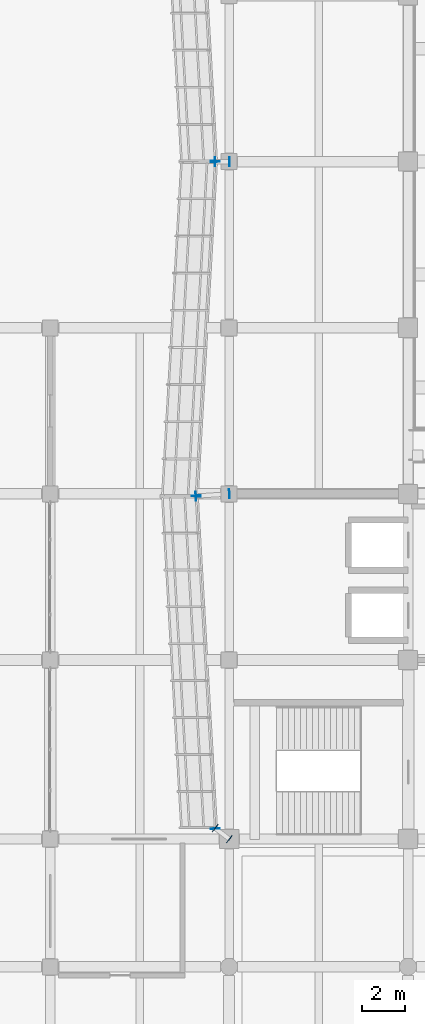
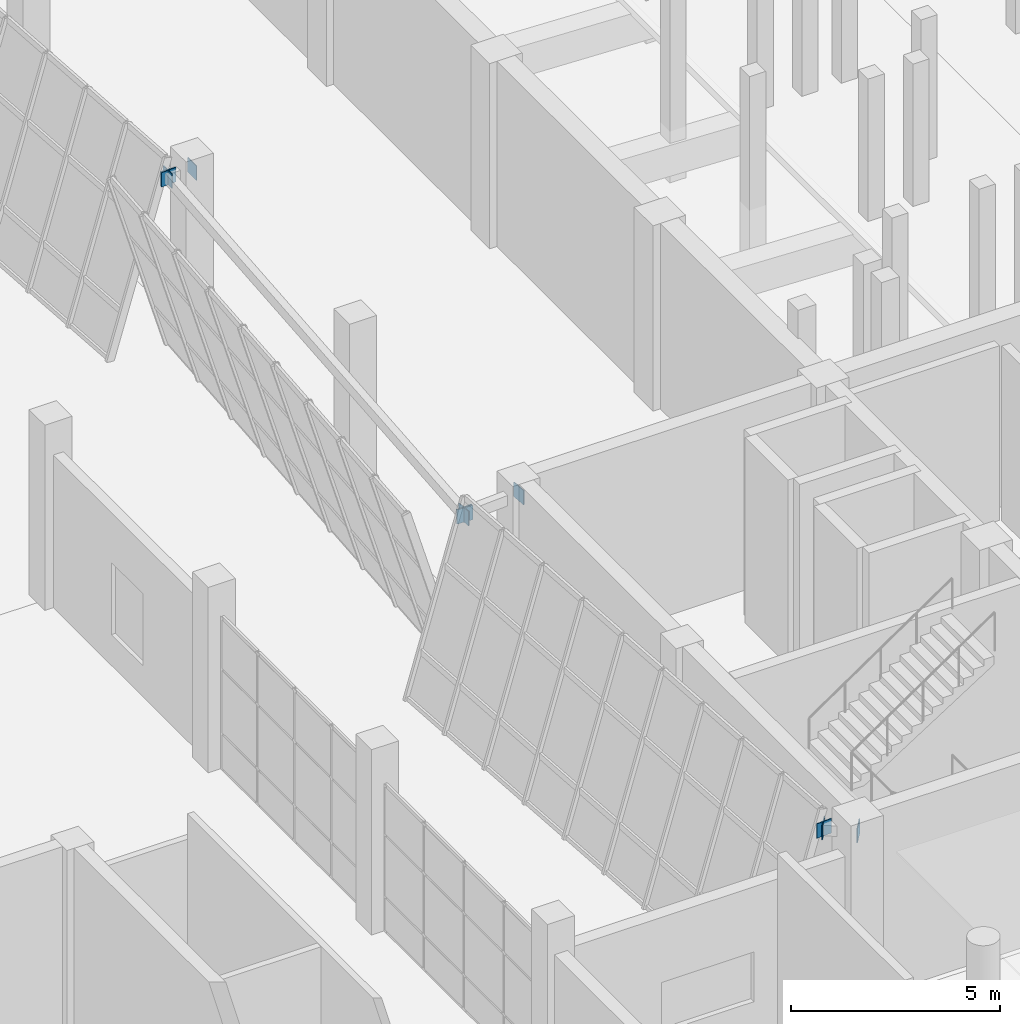
# One storey, part 55 of 78: 11 plates.
"""IFC4 building model written with IfcOpenShell, lengths in metres."""

import ifcopenshell
import ifcopenshell.guid

model = None  # the IFC model being written
_history = None  # IfcOwnerHistory: only IFC2X3 demands one
_inside = {}  # id of a spatial element -> (the spatial element, [elements in it])
_under = {}  # id of a project, library or spatial element -> (it, [spatial elements below it])
_declared = {}  # id of a project -> (the project, [libraries it declares])
_typed = {}  # id of a type object -> (the type object, [elements of that type])
_made_of = {}  # id of a material, layer set ... -> (it, [elements and type objects made of it])


def new_model(schema):
    """Start an empty IFC model of exactly this schema.

    Asked for "IFC4X3", IfcOpenShell would pick the latest addendum, in which some entities
    have other attributes; the version numbers below select the first issue.
    IFC2X3 requires an IfcOwnerHistory on every rooted entity: one is made here for all.
    """
    global model, _history
    if schema == "IFC4X3":
        model = ifcopenshell.file(schema_version=(4, 3, 0, 0))
    else:
        model = ifcopenshell.file(schema=schema)
    _inside.clear()
    _under.clear()
    _declared.clear()
    _typed.clear()
    _made_of.clear()
    _history = None
    if model.schema == "IFC2X3":
        org = make("IfcOrganization", Name="unknown")
        user = make(
            "IfcPersonAndOrganization",
            ThePerson=make("IfcPerson", FamilyName="unknown"),
            TheOrganization=org,
        )
        app = make(
            "IfcApplication",
            ApplicationDeveloper=org,
            Version="unknown",
            ApplicationFullName="unknown",
            ApplicationIdentifier="unknown",
        )
        _history = make(
            "IfcOwnerHistory",
            OwningUser=user,
            OwningApplication=app,
            ChangeAction="ADDED",
            CreationDate=0,
        )
    return model


def make(cls, **values):
    """One entity of the class cls with the attributes given. An attribute that is None is left unset."""
    return model.create_entity(
        cls, **{name: value for name, value in values.items() if value is not None}
    )


def rooted(cls, **values):
    """An entity with a GlobalId (a new one), such as an element, a storey or a relation."""
    return make(cls, GlobalId=ifcopenshell.guid.new(), OwnerHistory=_history, **values)


def si_unit(unit_type, name, prefix=None):
    """IfcSIUnit, for example si_unit("LENGTHUNIT", "METRE", prefix="MILLI")."""
    return make("IfcSIUnit", UnitType=unit_type, Prefix=prefix, Name=name)


def assignment(units):
    """IfcUnitAssignment: the units of a project."""
    return None if units is None else make("IfcUnitAssignment", Units=units)


def point(xyz):
    """IfcCartesianPoint."""
    return None if xyz is None else make("IfcCartesianPoint", Coordinates=xyz)


def direction(xyz):
    """IfcDirection."""
    return None if xyz is None else make("IfcDirection", DirectionRatios=xyz)


def frame(location, z_axis=None, x_axis=None):
    """IfcAxis2Placement3D, a coordinate frame: its origin and axes. An axis left out is left unset."""
    return make(
        "IfcAxis2Placement3D",
        Location=point(location),
        Axis=direction(z_axis),
        RefDirection=direction(x_axis),
    )


def frame_2d(location, x_axis=None):
    """IfcAxis2Placement2D, a coordinate frame in the plane: its origin and x axis."""
    return make(
        "IfcAxis2Placement2D", Location=point(location), RefDirection=direction(x_axis)
    )


def origin():
    """The frame at (0, 0, 0) with its axes left unset."""
    return frame((0.0, 0.0, 0.0))


def origin_2d():
    """The frame at (0, 0) in the plane with its x axis left unset."""
    return frame_2d((0.0, 0.0))


def place(relative_to, where):
    """IfcLocalPlacement: puts the frame where relative to a parent placement (None: the world)."""
    return make(
        "IfcLocalPlacement", PlacementRelTo=relative_to, RelativePlacement=where
    )


def context(
    kind, dimensions, precision=None, world=None, true_north=None, identifier=None
):
    """IfcGeometricRepresentationContext, for example the 3D "Model" context."""
    return make(
        "IfcGeometricRepresentationContext",
        ContextIdentifier=identifier,
        ContextType=kind,
        CoordinateSpaceDimension=dimensions,
        Precision=precision,
        WorldCoordinateSystem=world,
        TrueNorth=true_north,
    )


def subcontext(parent, identifier, kind, view, scale=None):
    """IfcGeometricRepresentationSubContext, for example "Body" below "Model"."""
    return make(
        "IfcGeometricRepresentationSubContext",
        ContextIdentifier=identifier,
        ContextType=kind,
        ParentContext=parent,
        TargetScale=scale,
        TargetView=view,
    )


def project(units=None, contexts=None):
    """IfcProject with its units and contexts."""
    return rooted(
        "IfcProject",
        Name="project",
        RepresentationContexts=contexts,
        UnitsInContext=assignment(units),
    )


def spatial(cls, under=None, at=None, **own):
    """A site, building, storey or space (cls), placed at a placement, below another one or the project."""
    s = rooted(cls, ObjectPlacement=at, **own)
    if under is not None:
        _under.setdefault(under.id(), (under, []))[1].append(s)
    return s


def profile(cls, at=None, kind="AREA", **sizes):
    """A parametric profile (cls). Its sizes go by their IFC names, for example OverallWidth=200.0."""
    return make(cls, ProfileType=kind, Position=at, **sizes)


def rectangle(**sizes):
    """IfcRectangleProfileDef."""
    return profile("IfcRectangleProfileDef", **sizes)


def extrude(swept, where, along, depth):
    """IfcExtrudedAreaSolid: the profile swept, set in the frame where, extruded along a direction by depth."""
    return make(
        "IfcExtrudedAreaSolid",
        SweptArea=swept,
        Position=where,
        ExtrudedDirection=direction(along),
        Depth=depth,
    )


def shape(context_of_items, identifier, shape_type, items):
    """IfcShapeRepresentation: the items that make up one representation, for example the "Body"."""
    return make(
        "IfcShapeRepresentation",
        ContextOfItems=context_of_items,
        RepresentationIdentifier=identifier,
        RepresentationType=shape_type,
        Items=items,
    )


def material(Name=None, Category=None):
    """IfcMaterial."""
    return make("IfcMaterial", Name=Name, Category=Category)


def layer(
    of_material, thickness, ventilated=None, Name=None, Category=None, Priority=None
):
    """IfcMaterialLayer: one layer of a wall or slab, of a material (None: an air gap)."""
    return make(
        "IfcMaterialLayer",
        Material=of_material,
        LayerThickness=thickness,
        IsVentilated=ventilated,
        Name=Name,
        Category=Category,
        Priority=Priority,
    )


def layer_set(layers, Name=None):
    """IfcMaterialLayerSet."""
    return make("IfcMaterialLayerSet", MaterialLayers=layers, LayerSetName=Name)


def made_of(thing, what):
    """Note that an element or type object is made of a material, layer set ...; save() writes the relation."""
    if what is not None:
        _made_of.setdefault(what.id(), (what, []))[1].append(thing)
    return thing


def type_object(cls, material=None, **own):
    """A type object (cls), such as IfcWallType, which elements share."""
    return made_of(rooted(cls, **own), material)


def element(
    cls,
    number,
    at=None,
    inside=None,
    cuts=None,
    type_object=None,
    material=None,
    context=None,
    identifier="Body",
    shape_type=None,
    held_by="IfcProductDefinitionShape",
    body=None,
    shapes=None,
    **own,
):
    """One element of the class cls, such as IfcWall. Its Tag is "e" and its number.

    at: its placement. inside: the storey or other place that contains it. cuts: it is an
    opening in that element (IfcRelVoidsElement). A single representation is given by context,
    identifier, shape_type and body (its items); several are given by shapes. held_by: the class
    of the entity that holds the representations. save() writes the other relations.
    """
    e = rooted(cls, Tag="e%d" % number, ObjectPlacement=at, **own)
    if body is not None:
        shapes = [shape(context, identifier, shape_type, body)]
    if shapes is not None:
        e.Representation = make(held_by, Representations=shapes)
    if inside is not None:
        _inside.setdefault(inside.id(), (inside, []))[1].append(e)
    if cuts is not None:
        rooted(
            "IfcRelVoidsElement", RelatingBuildingElement=cuts, RelatedOpeningElement=e
        )
    if type_object is not None:
        _typed.setdefault(type_object.id(), (type_object, []))[1].append(e)
    return made_of(e, material)


def aggregate(whole, parts):
    """IfcRelAggregates: a whole, such as a stair, and the parts it consists of."""
    return rooted("IfcRelAggregates", RelatingObject=whole, RelatedObjects=parts)


def save(model, path):
    """Write the relations noted so far, then the file.

    IfcRelAggregates (storeys below a building ...), IfcRelContainedInSpatialStructure (elements
    in a storey), IfcRelDefinesByType, IfcRelAssociatesMaterial and IfcRelDeclares: one each for
    every whole, place, type object, material and project.
    """
    for whole, parts in _under.values():
        aggregate(whole, parts)
    for where, things in _inside.values():
        rooted(
            "IfcRelContainedInSpatialStructure",
            RelatedElements=things,
            RelatingStructure=where,
        )
    for kind, things in _typed.values():
        rooted("IfcRelDefinesByType", RelatedObjects=things, RelatingType=kind)
    for what, things in _made_of.values():
        rooted("IfcRelAssociatesMaterial", RelatedObjects=things, RelatingMaterial=what)
    for by, libraries in _declared.values():
        rooted("IfcRelDeclares", RelatingContext=by, RelatedDefinitions=libraries)
    model.write(path)


model = new_model("IFC4")

# Units and contexts
model_context = context("Model", 3, precision=1e-05, world=origin(), true_north=direction((0.0, 1.0)))
body_context = subcontext(model_context, "Body", "Model", "MODEL_VIEW")
ifc_project = project(units=[si_unit("LENGTHUNIT", "METRE"), si_unit("AREAUNIT", "SQUARE_METRE"), si_unit("VOLUMEUNIT", "CUBIC_METRE"), si_unit("PLANEANGLEUNIT", "RADIAN"), si_unit("MASSUNIT", "GRAM", prefix="KILO")], contexts=[model_context])

# Site, building, storey
site_placement = place(None, origin())
site = spatial("IfcSite", under=ifc_project, at=site_placement, CompositionType="ELEMENT")
building_placement = place(site_placement, origin())
building = spatial("IfcBuilding", under=site, at=building_placement, Name="Pellamere Symphony Hall", CompositionType="ELEMENT")
storey_placement = place(building_placement, origin())
storey = spatial("IfcBuildingStorey", under=building, at=storey_placement, Name="L00", CompositionType="ELEMENT", Elevation=0.0)

# Plates
ifc_material = material(Name="Steel CSA G40.21 350W", Category="steel")
ifc_layer = layer(ifc_material, 0.02490234375, Name="Steel CSA G40.21 350W")
ifc_layer_set = layer_set([ifc_layer], Name="Steel CSA G40.21 350W")
plate_type = type_object("IfcPlateType", Name="Steel Connection Plate KP-01 420x420x25", PredefinedType="SHEET", material=ifc_layer_set)
for number, where, z_axis, x_axis, name in (
    (1, (49.750732421875, 61.7880859375, 4.630126953125), (0.0, 0.0, 1.0), (0.057215536424, -0.998361849427, 0.0), "Crystal Spandrel End Cap Plate CW-CR16-2 (L00)"),
    (2, (50.412109375, 61.800048828125, 4.630126953125), (0.0, 0.0, 1.0), (-1.0, 0.0, 0.0), "Outrigger End Cap Plate 097.1 (L00)"),
    (3, (49.738037109375, 61.800048828125, 4.630126953125), (0.0, 0.0, 1.0), (-1.0, 0.0, 0.0), "Outrigger End Cap Plate 097.2 (L00)"),
    (4, (49.750732421875, 61.81201171875, 4.630126953125), (0.0, 0.0, 1.0), (-0.057215536424, -0.998361849427, 0.0), "Crystal Spandrel End Cap Plate CW-CR17-1 (L00)"),
    (5, (48.849365234375, 46.087890625, 4.630126953125), (0.0, 0.0, 1.0), (-0.057215536424, -0.998361849427, 0.0), "Crystal Spandrel End Cap Plate CW-CR17-2 (L00)"),
    (6, (50.412109375, 46.20068359375, 4.630126953125), (0.0, 0.0, 1.0), (-0.997926866086, -0.064358138139, 0.0), "Outrigger End Cap Plate 107.1 (L00)"),
    (7, (48.837890625, 46.09912109375, 4.630126953125), (0.0, 0.0, 1.0), (-0.997926866086, -0.064358138139, 0.0), "Outrigger End Cap Plate 107.2 (L00)"),
    (8, (48.849365234375, 46.112060546875, 4.630126953125), (0.0, 0.0, 1.0), (0.05756402696, -0.998341816614, 0.0), "Crystal Spandrel End Cap Plate CW-CR18-1 (L00)"),
    (9, (49.750732421875, 30.488037109375, 4.630126953125), (0.0, 0.0, 1.0), (0.05756402696, -0.998341816614, 0.0), "Crystal Spandrel End Cap Plate CW-CR18-2 (L00)"),
    (10, (50.409423828125, 29.99267578125, 4.630126953125), (0.0, 0.0, 1.0), (-0.792609005996, 0.609730238396, 0.0), "Outrigger End Cap Plate 117.1 (L00)"),
    (11, (49.740478515625, 30.50732421875, 4.630126953125), (0.0, 0.0, 1.0), (-0.792609005996, 0.609730238396, 0.0), "Outrigger End Cap Plate 117.2 (L00)"),
):
    element("IfcPlate", number, at=place(storey_placement, frame(where, z_axis=z_axis, x_axis=x_axis)), inside=storey, type_object=plate_type, Name=name, PredefinedType="SHEET", context=body_context, shape_type="SweptSolid", body=[
        extrude(rectangle(XDim=0.02490234375, YDim=0.419921875, at=origin_2d()), origin(), (0.0, 0.0, 1.0), 0.419921875),
    ])

save(model, "model.ifc")
